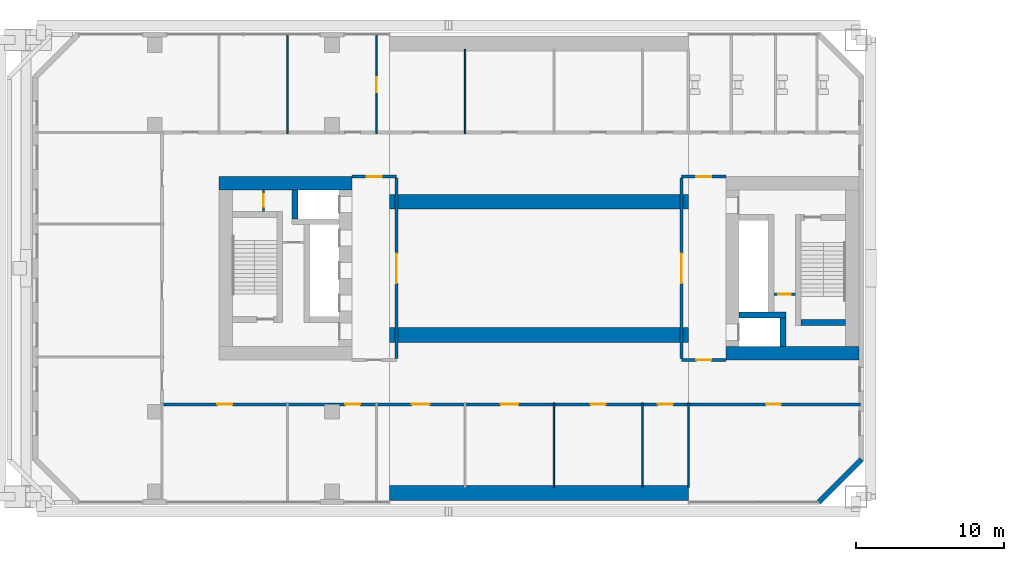
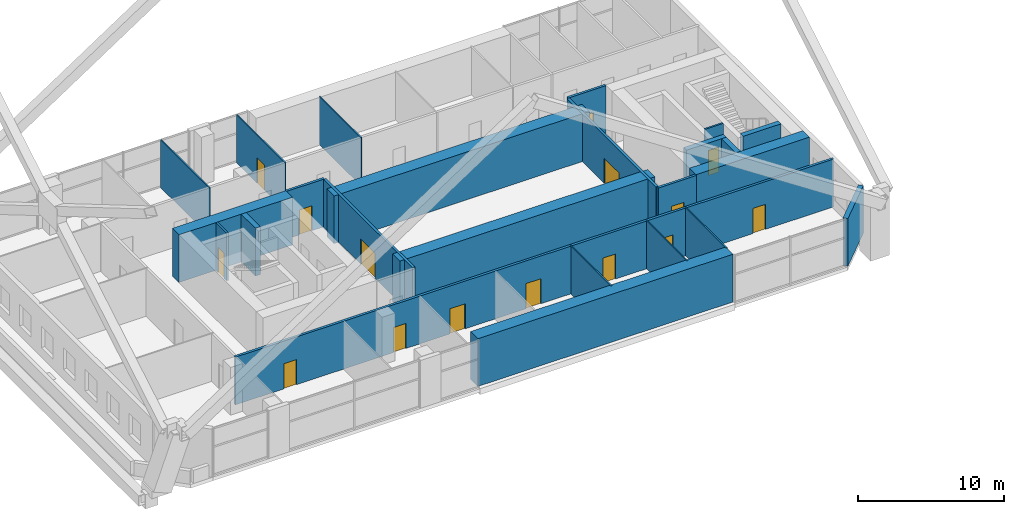
# One storey, part 18 of 25: 24 walls, 15 doors, 15 openings.
"""IFC4 building model written with IfcOpenShell, lengths in metres."""

from ifc_helpers import new_model, si_unit, direction, frame, frame_2d, origin, place, context, subcontext, project, spatial, rectangle, extrude, material, layer, layer_set, type_object, element, fill, save


model = new_model("IFC4")

# Units and contexts
model_context = context("Model", 3, precision=1e-05, world=origin(), true_north=direction((0.0, 1.0)))
body_context = subcontext(model_context, "Body", "Model", "MODEL_VIEW")
ifc_project = project(units=[si_unit("LENGTHUNIT", "METRE"), si_unit("AREAUNIT", "SQUARE_METRE"), si_unit("VOLUMEUNIT", "CUBIC_METRE"), si_unit("PLANEANGLEUNIT", "RADIAN"), si_unit("MASSUNIT", "GRAM", prefix="KILO")], contexts=[model_context])

# Site, building, storey
site_placement = place(None, origin())
site = spatial("IfcSite", under=ifc_project, at=site_placement, CompositionType="ELEMENT")
building_placement = place(site_placement, origin())
building = spatial("IfcBuilding", under=site, at=building_placement, Name="Tuart Gate Housing", CompositionType="ELEMENT")
storey_placement = place(building_placement, frame((0.0, 0.0, 14.699951171875)))
storey = spatial("IfcBuildingStorey", under=building, at=storey_placement, Name="L03", CompositionType="ELEMENT", Elevation=14.699951171875)

# Wall
ifc_material_1 = material(Name="Brick", Category="masonry")
ifc_layer_1 = layer(ifc_material_1, 0.360107421875)
ifc_layer_set_1 = layer_set([ifc_layer_1], Name="Brick pier and spandrel wall 360")
wall_type_1 = type_object("IfcWallType", Name="Brick pier and spandrel wall 360", PredefinedType="STANDARD", material=ifc_layer_set_1)
wall_1_placement = place(storey_placement, frame((72.92529296875, 54.179931640625, 0.0), z_axis=(0.0, 0.0, 1.0), x_axis=(0.707106781187, 0.707106781187, 0.0)))
element("IfcWall", 1, at=wall_1_placement, inside=storey, type_object=wall_type_1, Name="External wall A-SE L03", PredefinedType="STANDARD", context=body_context, shape_type="SweptSolid", body=[
    extrude(rectangle(XDim=4.09375, YDim=0.360107421875, at=frame_2d((2.046875, 0.0))), origin(), (0.0, 0.0, 1.0), 4.0),
])

# Wall, opening, door
ifc_material_2 = material(Name="Plasterboard partition")
ifc_layer_2 = layer(ifc_material_2, 0.14990234375)
ifc_layer_set_2 = layer_set([ifc_layer_2], Name="Core partition 150")
wall_type_2 = type_object("IfcWallType", Name="Core partition 150", PredefinedType="PARTITIONING", material=ifc_layer_set_2)
wall_2_placement = place(storey_placement, frame((69.889892578125, 68.25, 0.0), z_axis=(0.0, 0.0, 1.0), x_axis=(1.0, 0.0, 0.0)))
wall_2 = element("IfcWall", 2, at=wall_2_placement, inside=storey, type_object=wall_type_2, Name="Core partition AG.3", PredefinedType="PARTITIONING", context=body_context, shape_type="SweptSolid", body=[
    extrude(rectangle(XDim=1.4501953125, YDim=0.14990234375, at=frame_2d((0.72509765625, 0.0))), origin(), (0.0, 0.0, 1.0), 4.0),
])
opening_1_placement = place(wall_2_placement, frame((0.300048828125, 0.0, 0.0)))
opening_1 = element("IfcOpeningElement", 3, at=opening_1_placement, cuts=wall_2, Name="Opening D025", PredefinedType="OPENING", context=body_context, shape_type="SweptSolid", body=[
    extrude(rectangle(XDim=0.85009765625, YDim=2.10009765625, at=frame_2d((0.425048828125, 1.050048828125))), frame((0.0, 0.0849609375, 0.0), z_axis=(0.0, -1.0, 0.0), x_axis=(1.0, 0.0, 0.0)), (0.0, 0.0, 1.0), 0.169921875),
])
ifc_material_3 = material(Name="Steel fire door", Category="steel")
door_type_1 = type_object("IfcDoorType", Name="Riser door 850 x 2100 RH", OperationType="SINGLE_SWING_RIGHT", PredefinedType="DOOR", material=ifc_material_3)
door_1_placement = place(opening_1_placement, frame((0.85009765625, 0.0, 0.0), z_axis=(0.0, 0.0, 1.0), x_axis=(-1.0, 0.0, 0.0)))
door_1 = element("IfcDoor", 4, at=door_1_placement, inside=storey, type_object=door_type_1, Name="Service room door AG.E1", OperationType="SINGLE_SWING_RIGHT", OverallHeight=2.10009765625, OverallWidth=0.85009765625, PredefinedType="DOOR", context=body_context, shape_type="SweptSolid", body=[
    extrude(rectangle(XDim=0.85009765625, YDim=2.10009765625, at=frame_2d((0.425048828125, 1.050048828125))), frame((0.0, 0.025146484375, 0.0), z_axis=(0.0, -1.0, 0.0), x_axis=(1.0, 0.0, 0.0)), (0.0, 0.0, 1.0), 0.050048828125),
])
fill(opening_1, door_1)

wall_3_placement = place(storey_placement, frame((35.360107421875, 75.300048828125, 0.0), z_axis=(0.0, 0.0, 1.0), x_axis=(0.0, -1.0, 0.0)))
wall_3 = element("IfcWall", 5, at=wall_3_placement, inside=storey, type_object=wall_type_2, Name="Core partition AK.9", PredefinedType="PARTITIONING", context=body_context, shape_type="SweptSolid", body=[
    extrude(rectangle(XDim=1.449951171875, YDim=0.14990234375, at=frame_2d((0.72509765625, 0.0))), origin(), (0.0, 0.0, 1.0), 4.0),
])
opening_2_placement = place(wall_3_placement, frame((0.300048828125, 0.0, 0.0)))
opening_2 = element("IfcOpeningElement", 6, at=opening_2_placement, cuts=wall_3, Name="Opening D015", PredefinedType="OPENING", context=body_context, shape_type="SweptSolid", body=[
    extrude(rectangle(XDim=0.85009765625, YDim=2.10009765625, at=frame_2d((0.425048828125, 1.050048828125))), frame((0.0, 0.0849609375, 0.0), z_axis=(0.0, -1.0, 0.0), x_axis=(1.0, 0.0, 0.0)), (0.0, 0.0, 1.0), 0.169921875),
])
ifc_material_4 = material(Name="Steel fire door", Category="steel")
door_type_2 = type_object("IfcDoorType", Name="Service door 850 x 2100", OperationType="SINGLE_SWING_LEFT", PredefinedType="DOOR", material=ifc_material_4)
door_2_placement = place(opening_2_placement, origin())
door_2 = element("IfcDoor", 7, at=door_2_placement, inside=storey, type_object=door_type_2, Name="Service room door AK.E2", OperationType="SINGLE_SWING_LEFT", OverallHeight=2.10009765625, OverallWidth=0.85009765625, PredefinedType="DOOR", context=body_context, shape_type="SweptSolid", body=[
    extrude(rectangle(XDim=0.85009765625, YDim=2.10009765625, at=frame_2d((0.425048828125, 1.050048828125))), frame((0.0, 0.02490234375, 0.0), z_axis=(0.0, -1.0, 0.0), x_axis=(1.0, 0.0, 0.0)), (0.0, 0.0, 1.0), 0.050048828125),
])
fill(opening_2, door_2)

# Walls
ifc_material_5 = material(Name="Concrete C60", Category="concrete")
ifc_layer_3 = layer(ifc_material_5, 0.39990234375)
ifc_layer_set_3 = layer_set([ifc_layer_3], Name="Core wall 400 C60")
wall_type_3 = type_object("IfcWallType", Name="Core wall 400 C60", PredefinedType="SHEAR", material=ifc_layer_set_3)
wall_4_placement = place(storey_placement, frame((71.739990234375, 66.35009765625, 0.0), z_axis=(0.0, 0.0, 1.0), x_axis=(1.0, 0.0, 0.0)))
element("IfcWall", 8, at=wall_4_placement, inside=storey, type_object=wall_type_3, Name="Core wall AG.1", PredefinedType="SHEAR", context=body_context, shape_type="SweptSolid", body=[
    extrude(rectangle(XDim=3.0, YDim=0.39990234375, at=frame_2d((1.5, 0.0))), origin(), (0.0, 0.0, 1.0), 4.0),
])
wall_5_placement = place(storey_placement, frame((67.5400390625, 66.85009765625, 0.0), z_axis=(0.0, 0.0, 1.0), x_axis=(1.0, 0.0, 0.0)))
element("IfcWall", 9, at=wall_5_placement, inside=storey, type_object=wall_type_3, Name="Core wall AG.2", PredefinedType="SHEAR", context=body_context, shape_type="SweptSolid", body=[
    extrude(rectangle(XDim=3.169921875, YDim=0.39990234375, at=frame_2d((1.5849609375, 0.0))), origin(), (0.0, 0.0, 1.0), 4.0),
])
for number, where, z_axis, x_axis, name in (
    (10, (70.510009765625, 64.699951171875, 0.0), (0.0, 0.0, 1.0), (0.0, 1.0, 0.0), "Core wall AG.7"),
    (11, (37.489990234375, 75.300048828125, 0.0), (0.0, 0.0, 1.0), (0.0, -1.0, 0.0), "Core wall AK.7"),
):
    element("IfcWall", number, at=place(storey_placement, frame(where, z_axis=z_axis, x_axis=x_axis)), inside=storey, type_object=wall_type_3, Name=name, PredefinedType="SHEAR", context=body_context, shape_type="SweptSolid", body=[
        extrude(rectangle(XDim=1.949951171875, YDim=0.39990234375, at=frame_2d((0.97509765625, 0.0))), origin(), (0.0, 0.0, 1.0), 4.0),
    ])
ifc_material_6 = material(Name="Concrete C60", Category="concrete")
ifc_layer_4 = layer(ifc_material_6, 0.89990234375)
ifc_layer_set_4 = layer_set([ifc_layer_4], Name="Core wall 900 C60")
wall_type_4 = type_object("IfcWallType", Name="Core wall 900 C60", PredefinedType="SHEAR", material=ifc_layer_set_4)
for number, where, z_axis, x_axis, name in (
    (12, (66.639892578125, 64.25, 0.0), (0.0, 0.0, 1.0), (1.0, 0.0, 0.0), "Core wall AG south"),
    (13, (41.360107421875, 75.75, 0.0), (0.0, 0.0, 1.0), (-1.0, 0.0, 0.0), "Core wall AK south"),
):
    element("IfcWall", number, at=place(storey_placement, frame(where, z_axis=z_axis, x_axis=x_axis)), inside=storey, type_object=wall_type_4, Name=name, PredefinedType="SHEAR", context=body_context, shape_type="SweptSolid", body=[
        extrude(rectangle(XDim=9.0, YDim=0.89990234375, at=frame_2d((4.5, 0.0))), origin(), (0.0, 0.0, 1.0), 4.0),
    ])

# Wall, openings, doors
ifc_material_7 = material(Name="Concrete masonry 15 MPa", Category="masonry")
ifc_layer_5 = layer(ifc_material_7, 0.199951171875)
ifc_layer_set_5 = layer_set([ifc_layer_5], Name="Corridor wall masonry 200")
wall_type_5 = type_object("IfcWallType", Name="Corridor wall masonry 200", PredefinedType="PARTITIONING", material=ifc_layer_set_5)
wall_6_placement = place(storey_placement, frame((28.39990234375, 60.800048828125, 0.0), z_axis=(0.0, 0.0, 1.0), x_axis=(1.0, 0.0, 0.0)))
wall_6 = element("IfcWall", 14, at=wall_6_placement, inside=storey, type_object=wall_type_5, Name="Corridor wall masonry 200", PredefinedType="PARTITIONING", context=body_context, shape_type="SweptSolid", body=[
    extrude(rectangle(XDim=47.360107421875, YDim=0.199951171875, at=frame_2d((23.68017578125, 0.0))), origin(), (0.0, 0.0, 1.0), 4.0),
])
opening_3_placement = place(wall_6_placement, frame((3.85009765625, 0.0, 0.0)))
opening_3 = element("IfcOpeningElement", 15, at=opening_3_placement, cuts=wall_6, Name="Opening D029", PredefinedType="OPENING", context=body_context, shape_type="SweptSolid", body=[
    extrude(rectangle(XDim=1.0, YDim=2.10009765625, at=frame_2d((0.5, 1.050048828125))), frame((0.0, 0.10986328125, 0.0), z_axis=(0.0, -1.0, 0.0), x_axis=(1.0, 0.0, 0.0)), (0.0, 0.0, 1.0), 0.219970703125),
])
opening_4_placement = place(wall_6_placement, frame((12.5, 0.0, 0.0)))
opening_4 = element("IfcOpeningElement", 16, at=opening_4_placement, cuts=wall_6, Name="Opening D030", PredefinedType="OPENING", context=body_context, shape_type="SweptSolid", body=[
    extrude(rectangle(XDim=1.0, YDim=2.10009765625, at=frame_2d((0.5, 1.050048828125))), frame((0.0, 0.10986328125, 0.0), z_axis=(0.0, -1.0, 0.0), x_axis=(1.0, 0.0, 0.0)), (0.0, 0.0, 1.0), 0.219970703125),
])
opening_5_placement = place(wall_6_placement, frame((17.0, 0.0, 0.0)))
opening_5 = element("IfcOpeningElement", 17, at=opening_5_placement, cuts=wall_6, Name="Opening D034", PredefinedType="OPENING", context=body_context, shape_type="SweptSolid", body=[
    extrude(rectangle(XDim=1.199951171875, YDim=2.10009765625, at=frame_2d((0.60009765625, 1.050048828125))), frame((0.0, 0.10986328125, 0.0), z_axis=(0.0, -1.0, 0.0), x_axis=(1.0, 0.0, 0.0)), (0.0, 0.0, 1.0), 0.219970703125),
])
opening_6_placement = place(wall_6_placement, frame((23.0, 0.0, 0.0)))
opening_6 = element("IfcOpeningElement", 18, at=opening_6_placement, cuts=wall_6, Name="Opening D035", PredefinedType="OPENING", context=body_context, shape_type="SweptSolid", body=[
    extrude(rectangle(XDim=1.199951171875, YDim=2.10009765625, at=frame_2d((0.60009765625, 1.050048828125))), frame((0.0, 0.10986328125, 0.0), z_axis=(0.0, -1.0, 0.0), x_axis=(1.0, 0.0, 0.0)), (0.0, 0.0, 1.0), 0.219970703125),
])
opening_7_placement = place(wall_6_placement, frame((29.10009765625, 0.0, 0.0)))
opening_7 = element("IfcOpeningElement", 19, at=opening_7_placement, cuts=wall_6, Name="Opening D031", PredefinedType="OPENING", context=body_context, shape_type="SweptSolid", body=[
    extrude(rectangle(XDim=1.0, YDim=2.10009765625, at=frame_2d((0.5, 1.050048828125))), frame((0.0, 0.10986328125, 0.0), z_axis=(0.0, -1.0, 0.0), x_axis=(1.0, 0.0, 0.0)), (0.0, 0.0, 1.0), 0.219970703125),
])
opening_8_placement = place(wall_6_placement, frame((33.64990234375, 0.0, 0.0)))
opening_8 = element("IfcOpeningElement", 20, at=opening_8_placement, cuts=wall_6, Name="Opening D032", PredefinedType="OPENING", context=body_context, shape_type="SweptSolid", body=[
    extrude(rectangle(XDim=1.0, YDim=2.10009765625, at=frame_2d((0.5, 1.050048828125))), frame((0.0, 0.10986328125, 0.0), z_axis=(0.0, -1.0, 0.0), x_axis=(1.0, 0.0, 0.0)), (0.0, 0.0, 1.0), 0.219970703125),
])
opening_9_placement = place(wall_6_placement, frame((40.969970703125, 0.0, 0.0)))
opening_9 = element("IfcOpeningElement", 21, at=opening_9_placement, cuts=wall_6, Name="Opening D033", PredefinedType="OPENING", context=body_context, shape_type="SweptSolid", body=[
    extrude(rectangle(XDim=1.0, YDim=2.10009765625, at=frame_2d((0.5, 1.050048828125))), frame((0.0, 0.10986328125, 0.0), z_axis=(0.0, -1.0, 0.0), x_axis=(1.0, 0.0, 0.0)), (0.0, 0.0, 1.0), 0.219970703125),
])
ifc_material_8 = material(Name="Timber door leaf in steel frame", Category="steel")
door_type_3 = type_object("IfcDoorType", Name="Fire door 1000", OperationType="SINGLE_SWING_LEFT", PredefinedType="DOOR", material=ifc_material_8)
door_3_placement = place(opening_4_placement, frame((1.0, 0.0, 0.0), z_axis=(0.0, 0.0, 1.0), x_axis=(-1.0, 0.0, 0.0)))
door_3 = element("IfcDoor", 22, at=door_3_placement, inside=storey, type_object=door_type_3, Name="Fire door 1000", OperationType="SINGLE_SWING_LEFT", OverallHeight=2.10009765625, OverallWidth=1.0, PredefinedType="DOOR", context=body_context, shape_type="SweptSolid", body=[
    extrude(rectangle(XDim=1.0, YDim=2.10009765625, at=frame_2d((0.5, 1.050048828125))), frame((0.0, 0.025146484375, 0.0), z_axis=(0.0, -1.0, 0.0), x_axis=(1.0, 0.0, 0.0)), (0.0, 0.0, 1.0), 0.050048828125),
])
fill(opening_4, door_3)
ifc_material_9 = material(Name="Timber door leaf in steel frame", Category="steel")
door_type_4 = type_object("IfcDoorType", Name="Fire door 1000 RH", OperationType="SINGLE_SWING_RIGHT", PredefinedType="DOOR", material=ifc_material_9)
door_4_placement = place(opening_3_placement, frame((1.0, 0.0, 0.0), z_axis=(0.0, 0.0, 1.0), x_axis=(-1.0, 0.0, 0.0)))
door_4 = element("IfcDoor", 23, at=door_4_placement, inside=storey, type_object=door_type_4, Name="Fire door 1000", OperationType="SINGLE_SWING_RIGHT", OverallHeight=2.10009765625, OverallWidth=1.0, PredefinedType="DOOR", context=body_context, shape_type="SweptSolid", body=[
    extrude(rectangle(XDim=1.0, YDim=2.10009765625, at=frame_2d((0.5, 1.050048828125))), frame((0.0, 0.025146484375, 0.0), z_axis=(0.0, -1.0, 0.0), x_axis=(1.0, 0.0, 0.0)), (0.0, 0.0, 1.0), 0.050048828125),
])
fill(opening_3, door_4)
door_5_placement = place(opening_7_placement, frame((1.0, 0.0, 0.0), z_axis=(0.0, 0.0, 1.0), x_axis=(-1.0, 0.0, 0.0)))
door_5 = element("IfcDoor", 24, at=door_5_placement, inside=storey, type_object=door_type_4, Name="Fire door 1000", OperationType="SINGLE_SWING_RIGHT", OverallHeight=2.10009765625, OverallWidth=1.0, PredefinedType="DOOR", context=body_context, shape_type="SweptSolid", body=[
    extrude(rectangle(XDim=1.0, YDim=2.10009765625, at=frame_2d((0.5, 1.050048828125))), frame((0.0, 0.025146484375, 0.0), z_axis=(0.0, -1.0, 0.0), x_axis=(1.0, 0.0, 0.0)), (0.0, 0.0, 1.0), 0.050048828125),
])
fill(opening_7, door_5)
door_6_placement = place(opening_8_placement, frame((1.0, 0.0, 0.0), z_axis=(0.0, 0.0, 1.0), x_axis=(-1.0, 0.0, 0.0)))
door_6 = element("IfcDoor", 25, at=door_6_placement, inside=storey, type_object=door_type_4, Name="Fire door 1000", OperationType="SINGLE_SWING_RIGHT", OverallHeight=2.10009765625, OverallWidth=1.0, PredefinedType="DOOR", context=body_context, shape_type="SweptSolid", body=[
    extrude(rectangle(XDim=1.0, YDim=2.10009765625, at=frame_2d((0.5, 1.050048828125))), frame((0.0, 0.025146484375, 0.0), z_axis=(0.0, -1.0, 0.0), x_axis=(1.0, 0.0, 0.0)), (0.0, 0.0, 1.0), 0.050048828125),
])
fill(opening_8, door_6)
door_7_placement = place(opening_9_placement, frame((1.0, 0.0, 0.0), z_axis=(0.0, 0.0, 1.0), x_axis=(-1.0, 0.0, 0.0)))
door_7 = element("IfcDoor", 26, at=door_7_placement, inside=storey, type_object=door_type_4, Name="Fire door 1000", OperationType="SINGLE_SWING_RIGHT", OverallHeight=2.10009765625, OverallWidth=1.0, PredefinedType="DOOR", context=body_context, shape_type="SweptSolid", body=[
    extrude(rectangle(XDim=1.0, YDim=2.10009765625, at=frame_2d((0.5, 1.050048828125))), frame((0.0, 0.025146484375, 0.0), z_axis=(0.0, -1.0, 0.0), x_axis=(1.0, 0.0, 0.0)), (0.0, 0.0, 1.0), 0.050048828125),
])
fill(opening_9, door_7)
ifc_material_10 = material(Name="Timber door leaf in steel frame", Category="steel")
door_type_5 = type_object("IfcDoorType", Name="Fire door 1200 RH", OperationType="SINGLE_SWING_RIGHT", PredefinedType="DOOR", material=ifc_material_10)
door_8_placement = place(opening_5_placement, frame((1.199951171875, 0.0, 0.0), z_axis=(0.0, 0.0, 1.0), x_axis=(-1.0, 0.0, 0.0)))
door_8 = element("IfcDoor", 27, at=door_8_placement, inside=storey, type_object=door_type_5, Name="Fire door 1200", OperationType="SINGLE_SWING_RIGHT", OverallHeight=2.10009765625, OverallWidth=1.199951171875, PredefinedType="DOOR", context=body_context, shape_type="SweptSolid", body=[
    extrude(rectangle(XDim=1.199951171875, YDim=2.10009765625, at=frame_2d((0.599853515625, 1.050048828125))), frame((0.0, 0.025146484375, 0.0), z_axis=(0.0, -1.0, 0.0), x_axis=(1.0, 0.0, 0.0)), (0.0, 0.0, 1.0), 0.050048828125),
])
fill(opening_5, door_8)
door_9_placement = place(opening_6_placement, frame((1.199951171875, 0.0, 0.0), z_axis=(0.0, 0.0, 1.0), x_axis=(-1.0, 0.0, 0.0)))
door_9 = element("IfcDoor", 28, at=door_9_placement, inside=storey, type_object=door_type_5, Name="Fire door 1200", OperationType="SINGLE_SWING_RIGHT", OverallHeight=2.10009765625, OverallWidth=1.199951171875, PredefinedType="DOOR", context=body_context, shape_type="SweptSolid", body=[
    extrude(rectangle(XDim=1.199951171875, YDim=2.10009765625, at=frame_2d((0.599853515625, 1.050048828125))), frame((0.0, 0.025146484375, 0.0), z_axis=(0.0, -1.0, 0.0), x_axis=(1.0, 0.0, 0.0)), (0.0, 0.0, 1.0), 0.050048828125),
])
fill(opening_6, door_9)

# Wall, opening, door
ifc_material_11 = material(Name="Concrete masonry 15 MPa", Category="masonry")
ifc_layer_6 = layer(ifc_material_11, 0.199951171875)
ifc_layer_set_6 = layer_set([ifc_layer_6], Name="Enclosure wall masonry 200")
wall_type_6 = type_object("IfcWallType", Name="Enclosure wall masonry 200", PredefinedType="PARTITIONING", material=ifc_layer_set_6)
wall_7_placement = place(storey_placement, frame((63.639892578125, 63.800048828125, 0.0), z_axis=(0.0, 0.0, 1.0), x_axis=(1.0, 0.0, 0.0)))
wall_7 = element("IfcWall", 29, at=wall_7_placement, inside=storey, type_object=wall_type_6, Name="Enclosure wall masonry 200", PredefinedType="PARTITIONING", context=body_context, shape_type="SweptSolid", body=[
    extrude(rectangle(XDim=3.0, YDim=0.199951171875, at=frame_2d((1.5, 0.0))), origin(), (0.0, 0.0, 1.0), 4.0),
])
opening_10_placement = place(wall_7_placement, frame((1.0, 0.0, 0.0)))
opening_10 = element("IfcOpeningElement", 30, at=opening_10_placement, cuts=wall_7, Name="Opening D028", PredefinedType="OPENING", context=body_context, shape_type="SweptSolid", body=[
    extrude(rectangle(XDim=1.0, YDim=2.10009765625, at=frame_2d((0.5, 1.050048828125))), frame((0.0, 0.10986328125, 0.0), z_axis=(0.0, -1.0, 0.0), x_axis=(1.0, 0.0, 0.0)), (0.0, 0.0, 1.0), 0.219970703125),
])
ifc_material_12 = material(Name="Timber door leaf in steel frame", Category="steel")
door_type_6 = type_object("IfcDoorType", Name="Lobby door 1000", OperationType="SINGLE_SWING_LEFT", PredefinedType="DOOR", material=ifc_material_12)
door_10_placement = place(opening_10_placement, origin())
door_10 = element("IfcDoor", 31, at=door_10_placement, inside=storey, type_object=door_type_6, Name="Lobby door 1000", OperationType="SINGLE_SWING_LEFT", OverallHeight=2.10009765625, OverallWidth=1.0, PredefinedType="DOOR", context=body_context, shape_type="SweptSolid", body=[
    extrude(rectangle(XDim=1.0, YDim=2.10009765625, at=frame_2d((0.5, 1.050048828125))), frame((0.0, 0.02490234375, 0.0), z_axis=(0.0, -1.0, 0.0), x_axis=(1.0, 0.0, 0.0)), (0.0, 0.0, 1.0), 0.050048828125),
])
fill(opening_10, door_10)

wall_8_placement = place(storey_placement, frame((41.360107421875, 76.199951171875, 0.0), z_axis=(0.0, 0.0, 1.0), x_axis=(1.0, 0.0, 0.0)))
wall_8 = element("IfcWall", 32, at=wall_8_placement, inside=storey, type_object=wall_type_6, Name="Enclosure wall masonry 200", PredefinedType="PARTITIONING", context=body_context, shape_type="SweptSolid", body=[
    extrude(rectangle(XDim=3.0, YDim=0.199951171875, at=frame_2d((1.5, 0.0))), origin(), (0.0, 0.0, 1.0), 4.0),
])
opening_11_placement = place(wall_8_placement, frame((1.0, 0.0, 0.0)))
opening_11 = element("IfcOpeningElement", 33, at=opening_11_placement, cuts=wall_8, Name="Opening D013", PredefinedType="OPENING", context=body_context, shape_type="SweptSolid", body=[
    extrude(rectangle(XDim=1.0, YDim=2.10009765625, at=frame_2d((0.5, 1.050048828125))), frame((0.0, 0.10986328125, 0.0), z_axis=(0.0, -1.0, 0.0), x_axis=(1.0, 0.0, 0.0)), (0.0, 0.0, 1.0), 0.219970703125),
])
door_11_placement = place(opening_11_placement, frame((1.0, 0.0, 0.0), z_axis=(0.0, 0.0, 1.0), x_axis=(-1.0, 0.0, 0.0)))
door_11 = element("IfcDoor", 34, at=door_11_placement, inside=storey, type_object=door_type_6, Name="Lobby door 1000", OperationType="SINGLE_SWING_LEFT", OverallHeight=2.10009765625, OverallWidth=1.0, PredefinedType="DOOR", context=body_context, shape_type="SweptSolid", body=[
    extrude(rectangle(XDim=1.0, YDim=2.10009765625, at=frame_2d((0.5, 1.050048828125))), frame((0.0, 0.025146484375, 0.0), z_axis=(0.0, -1.0, 0.0), x_axis=(1.0, 0.0, 0.0)), (0.0, 0.0, 1.0), 0.050048828125),
])
fill(opening_11, door_11)

wall_9_placement = place(storey_placement, frame((63.639892578125, 76.199951171875, 0.0), z_axis=(0.0, 0.0, 1.0), x_axis=(1.0, 0.0, 0.0)))
wall_9 = element("IfcWall", 35, at=wall_9_placement, inside=storey, type_object=wall_type_6, Name="Enclosure wall masonry 200", PredefinedType="PARTITIONING", context=body_context, shape_type="SweptSolid", body=[
    extrude(rectangle(XDim=3.0, YDim=0.199951171875, at=frame_2d((1.5, 0.0))), origin(), (0.0, 0.0, 1.0), 4.0),
])
opening_12_placement = place(wall_9_placement, frame((1.0, 0.0, 0.0)))
opening_12 = element("IfcOpeningElement", 36, at=opening_12_placement, cuts=wall_9, Name="Opening D014", PredefinedType="OPENING", context=body_context, shape_type="SweptSolid", body=[
    extrude(rectangle(XDim=1.0, YDim=2.10009765625, at=frame_2d((0.5, 1.050048828125))), frame((0.0, 0.10986328125, 0.0), z_axis=(0.0, -1.0, 0.0), x_axis=(1.0, 0.0, 0.0)), (0.0, 0.0, 1.0), 0.219970703125),
])
ifc_material_13 = material(Name="Timber door leaf in steel frame", Category="steel")
door_type_7 = type_object("IfcDoorType", Name="Lobby door 1000 RH", OperationType="SINGLE_SWING_RIGHT", PredefinedType="DOOR", material=ifc_material_13)
door_12_placement = place(opening_12_placement, frame((1.0, 0.0, 0.0), z_axis=(0.0, 0.0, 1.0), x_axis=(-1.0, 0.0, 0.0)))
door_12 = element("IfcDoor", 37, at=door_12_placement, inside=storey, type_object=door_type_7, Name="Lobby door 1000", OperationType="SINGLE_SWING_RIGHT", OverallHeight=2.10009765625, OverallWidth=1.0, PredefinedType="DOOR", context=body_context, shape_type="SweptSolid", body=[
    extrude(rectangle(XDim=1.0, YDim=2.10009765625, at=frame_2d((0.5, 1.050048828125))), frame((0.0, 0.025146484375, 0.0), z_axis=(0.0, -1.0, 0.0), x_axis=(1.0, 0.0, 0.0)), (0.0, 0.0, 1.0), 0.050048828125),
])
fill(opening_12, door_12)

ifc_material_14 = material(Name="Plasterboard partition")
ifc_layer_7 = layer(ifc_material_14, 0.199951171875)
ifc_layer_set_7 = layer_set([ifc_layer_7], Name="Lobby wall 200")
wall_type_7 = type_object("IfcWallType", Name="Lobby wall 200", PredefinedType="PARTITIONING", material=ifc_layer_set_7)
wall_10_placement = place(storey_placement, frame((63.639892578125, 63.89990234375, 0.0), z_axis=(0.0, 0.0, 1.0), x_axis=(0.0, 1.0, 0.0)))
wall_10 = element("IfcWall", 38, at=wall_10_placement, inside=storey, type_object=wall_type_7, Name="Lift lobby wall AG", PredefinedType="PARTITIONING", context=body_context, shape_type="SweptSolid", body=[
    extrude(rectangle(XDim=12.2001953125, YDim=0.199951171875, at=frame_2d((6.10009765625, 0.0))), origin(), (0.0, 0.0, 1.0), 4.0),
])
opening_13_placement = place(wall_10_placement, frame((5.10009765625, 0.0, 0.0)))
opening_13 = element("IfcOpeningElement", 39, at=opening_13_placement, cuts=wall_10, Name="Opening D023", PredefinedType="OPENING", context=body_context, shape_type="SweptSolid", body=[
    extrude(rectangle(XDim=2.0, YDim=2.10009765625, at=frame_2d((1.0, 1.050048828125))), frame((0.0, 0.10986328125, 0.0), z_axis=(0.0, -1.0, 0.0), x_axis=(1.0, 0.0, 0.0)), (0.0, 0.0, 1.0), 0.219970703125),
])
ifc_material_15 = material(Name="Steel fire door", Category="steel")
door_type_8 = type_object("IfcDoorType", Name="Smoke door 2000 x 2100", OperationType="DOUBLE_DOOR_SINGLE_SWING", PredefinedType="DOOR", material=ifc_material_15)
door_13_placement = place(opening_13_placement, frame((2.0, 0.0, 0.0), z_axis=(0.0, 0.0, 1.0), x_axis=(-1.0, 0.0, 0.0)))
door_13 = element("IfcDoor", 40, at=door_13_placement, inside=storey, type_object=door_type_8, Name="Lift lobby smoke door AG", OperationType="DOUBLE_DOOR_SINGLE_SWING", OverallHeight=2.10009765625, OverallWidth=2.0, PredefinedType="DOOR", context=body_context, shape_type="SweptSolid", body=[
    extrude(rectangle(XDim=2.0, YDim=2.10009765625, at=frame_2d((1.0, 1.050048828125))), frame((0.0, 0.025146484375, 0.0), z_axis=(0.0, -1.0, 0.0), x_axis=(1.0, 0.0, 0.0)), (0.0, 0.0, 1.0), 0.050048828125),
])
fill(opening_13, door_13)

wall_11_placement = place(storey_placement, frame((44.360107421875, 63.89990234375, 0.0), z_axis=(0.0, 0.0, 1.0), x_axis=(0.0, 1.0, 0.0)))
wall_11 = element("IfcWall", 41, at=wall_11_placement, inside=storey, type_object=wall_type_7, Name="Lift lobby wall AK", PredefinedType="PARTITIONING", context=body_context, shape_type="SweptSolid", body=[
    extrude(rectangle(XDim=12.2001953125, YDim=0.199951171875, at=frame_2d((6.10009765625, 0.0))), origin(), (0.0, 0.0, 1.0), 4.0),
])
opening_14_placement = place(wall_11_placement, frame((5.10009765625, 0.0, 0.0)))
opening_14 = element("IfcOpeningElement", 42, at=opening_14_placement, cuts=wall_11, Name="Opening D022", PredefinedType="OPENING", context=body_context, shape_type="SweptSolid", body=[
    extrude(rectangle(XDim=2.0, YDim=2.10009765625, at=frame_2d((1.0, 1.050048828125))), frame((0.0, 0.10986328125, 0.0), z_axis=(0.0, -1.0, 0.0), x_axis=(1.0, 0.0, 0.0)), (0.0, 0.0, 1.0), 0.219970703125),
])
door_14_placement = place(opening_14_placement, origin())
door_14 = element("IfcDoor", 43, at=door_14_placement, inside=storey, type_object=door_type_8, Name="Lift lobby smoke door AK", OperationType="DOUBLE_DOOR_SINGLE_SWING", OverallHeight=2.10009765625, OverallWidth=2.0, PredefinedType="DOOR", context=body_context, shape_type="SweptSolid", body=[
    extrude(rectangle(XDim=2.0, YDim=2.10009765625, at=frame_2d((1.0, 1.050048828125))), frame((0.0, 0.02490234375, 0.0), z_axis=(0.0, -1.0, 0.0), x_axis=(1.0, 0.0, 0.0)), (0.0, 0.0, 1.0), 0.050048828125),
])
fill(opening_14, door_14)

# Wall
ifc_material_16 = material(Name="Gypsum board on steel studs", Category="steel")
ifc_layer_8 = layer(ifc_material_16, 0.10009765625)
ifc_layer_set_8 = layer_set([ifc_layer_8], Name="Partition 100")
wall_type_8 = type_object("IfcWallType", Name="Partition 100", PredefinedType="PARTITIONING", material=ifc_layer_set_8)
wall_12_placement = place(storey_placement, frame((37.0, 79.10009765625, 0.0), z_axis=(0.0, 0.0, 1.0), x_axis=(0.0, 1.0, 0.0)))
element("IfcWall", 44, at=wall_12_placement, inside=storey, type_object=wall_type_8, Name="Partition 100", PredefinedType="PARTITIONING", context=body_context, shape_type="SweptSolid", body=[
    extrude(rectangle(XDim=6.659912109375, YDim=0.10009765625, at=frame_2d((3.330078125, 0.0))), origin(), (0.0, 0.0, 1.0), 4.0),
])

# Wall, opening, door
wall_13_placement = place(storey_placement, frame((43.0, 79.10009765625, 0.0), z_axis=(0.0, 0.0, 1.0), x_axis=(0.0, 1.0, 0.0)))
wall_13 = element("IfcWall", 45, at=wall_13_placement, inside=storey, type_object=wall_type_8, Name="Partition 100", PredefinedType="PARTITIONING", context=body_context, shape_type="SweptSolid", body=[
    extrude(rectangle(XDim=6.659912109375, YDim=0.10009765625, at=frame_2d((3.330078125, 0.0))), origin(), (0.0, 0.0, 1.0), 4.0),
])
opening_15_placement = place(wall_13_placement, frame((2.820068359375, 0.0, 0.0)))
opening_15 = element("IfcOpeningElement", 46, at=opening_15_placement, cuts=wall_13, Name="Opening D001", PredefinedType="OPENING", context=body_context, shape_type="SweptSolid", body=[
    extrude(rectangle(XDim=1.0, YDim=2.10009765625, at=frame_2d((0.5, 1.050048828125))), frame((0.0, 0.06005859375, 0.0), z_axis=(0.0, -1.0, 0.0), x_axis=(1.0, 0.0, 0.0)), (0.0, 0.0, 1.0), 0.1201171875),
])
ifc_material_17 = material(Name="Timber door leaf in steel frame", Category="steel")
door_type_9 = type_object("IfcDoorType", Name="Internal door 1000 RH", OperationType="SINGLE_SWING_RIGHT", PredefinedType="DOOR", material=ifc_material_17)
door_15_placement = place(opening_15_placement, frame((1.0, 0.0, 0.0), z_axis=(0.0, 0.0, 1.0), x_axis=(-1.0, 0.0, 0.0)))
door_15 = element("IfcDoor", 47, at=door_15_placement, inside=storey, type_object=door_type_9, Name="Internal door 1000", OperationType="SINGLE_SWING_RIGHT", OverallHeight=2.10009765625, OverallWidth=1.0, PredefinedType="DOOR", context=body_context, shape_type="SweptSolid", body=[
    extrude(rectangle(XDim=1.0, YDim=2.10009765625, at=frame_2d((0.5, 1.050048828125))), frame((0.0, 0.025146484375, 0.0), z_axis=(0.0, -1.0, 0.0), x_axis=(1.0, 0.0, 0.0)), (0.0, 0.0, 1.0), 0.050048828125),
])
fill(opening_15, door_15)

# Walls
for number, where, z_axis, x_axis, name in (
    (48, (49.0, 79.10009765625, 0.0), (0.0, 0.0, 1.0), (0.0, 1.0, 0.0), "Partition 100"),
    (49, (55.0, 55.179931640625, 0.0), (0.0, 0.0, 1.0), (0.0, 1.0, 0.0), "Partition 100"),
    (50, (61.0, 55.179931640625, 0.0), (0.0, 0.0, 1.0), (0.0, 1.0, 0.0), "Partition 100"),
    (51, (64.10009765625, 55.179931640625, 0.0), (0.0, 0.0, 1.0), (0.0, 1.0, 0.0), "Partition 100"),
):
    element("IfcWall", number, at=place(storey_placement, frame(where, z_axis=z_axis, x_axis=x_axis)), inside=storey, type_object=wall_type_8, Name=name, PredefinedType="PARTITIONING", context=body_context, shape_type="SweptSolid", body=[
        extrude(rectangle(XDim=5.719970703125, YDim=0.10009765625, at=frame_2d((2.85986328125, 0.0))), origin(), (0.0, 0.0, 1.0), 4.0),
    ])
ifc_material_18 = material(Name="Concrete C60", Category="concrete")
ifc_layer_9 = layer(ifc_material_18, 1.0)
ifc_layer_set_9 = layer_set([ifc_layer_9], Name="RC wall 1000 C60")
wall_type_9 = type_object("IfcWallType", Name="RC wall 1000 C60", PredefinedType="SHEAR", material=ifc_layer_set_9)
for number, where, z_axis, x_axis, name in (
    (52, (43.89990234375, 54.800048828125, 0.0), (0.0, 0.0, 1.0), (1.0, 0.0, 0.0), "Transfer wall A line 1 L03"),
    (53, (43.89990234375, 65.5, 0.0), (0.0, 0.0, 1.0), (1.0, 0.0, 0.0), "Transfer wall A line 2 L03"),
    (54, (43.89990234375, 74.5, 0.0), (0.0, 0.0, 1.0), (1.0, 0.0, 0.0), "Transfer wall A line 3 L03"),
):
    element("IfcWall", number, at=place(storey_placement, frame(where, z_axis=z_axis, x_axis=x_axis)), inside=storey, type_object=wall_type_9, Name=name, PredefinedType="SHEAR", context=body_context, shape_type="SweptSolid", body=[
        extrude(rectangle(XDim=20.2001953125, YDim=1.0, at=frame_2d((10.10009765625, 0.0))), origin(), (0.0, 0.0, 1.0), 4.0),
    ])

save(model, "model.ifc")
